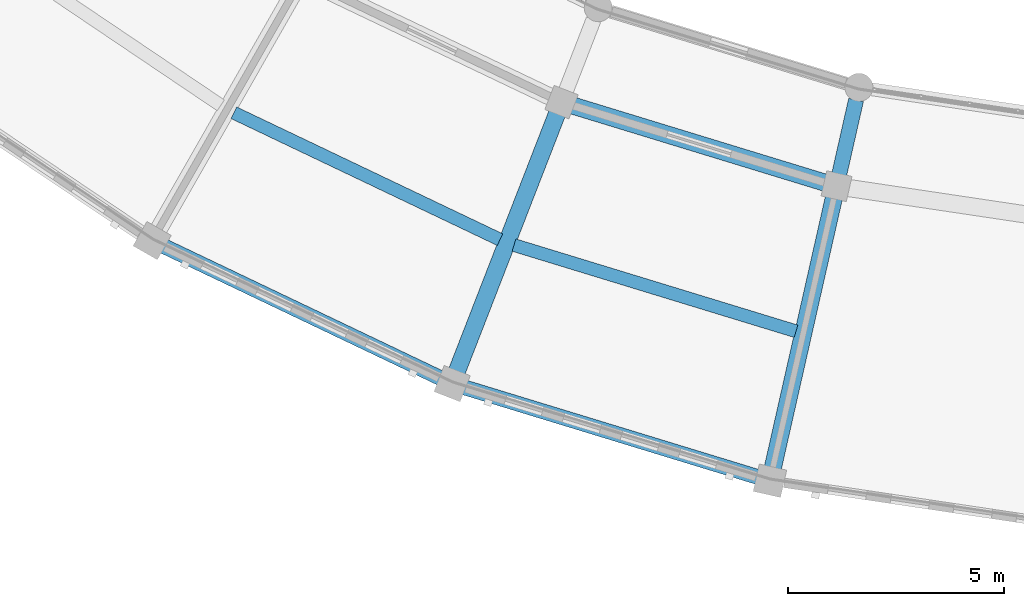
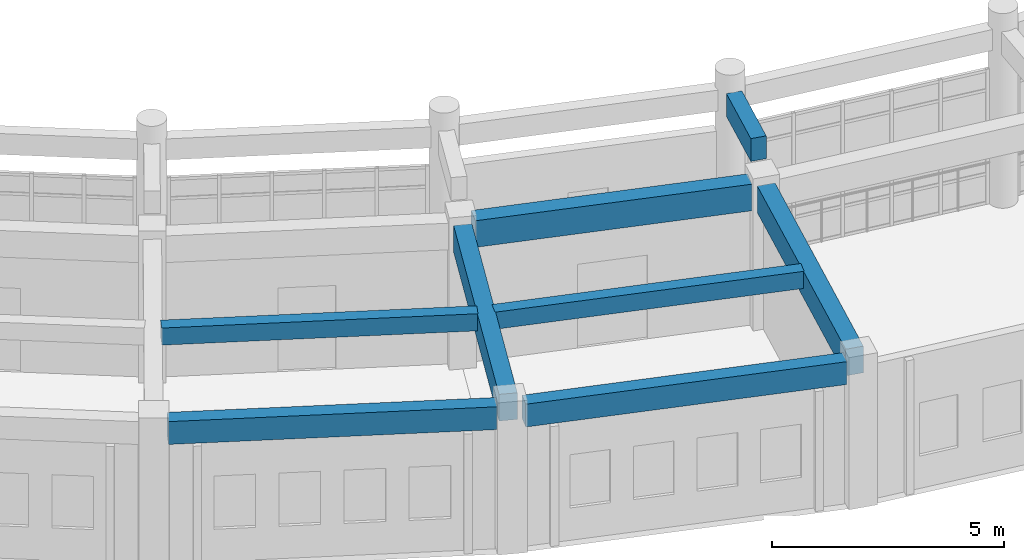
# One storey, part 30 of 159: 8 beams.
"""IFC4 building model written with IfcOpenShell, lengths in metres."""

from ifc_helpers import new_model, si_unit, direction, frame, origin, origin_2d, place, context, subcontext, project, spatial, rectangle, extrude, material, material_profile, profile_set, type_object, element, save


model = new_model("IFC4")

# Units and contexts
model_context = context("Model", 3, precision=1e-05, world=origin(), true_north=direction((0.0, 1.0)))
body_context = subcontext(model_context, "Body", "Model", "MODEL_VIEW")
ifc_project = project(units=[si_unit("LENGTHUNIT", "METRE"), si_unit("AREAUNIT", "SQUARE_METRE"), si_unit("VOLUMEUNIT", "CUBIC_METRE"), si_unit("PLANEANGLEUNIT", "RADIAN"), si_unit("MASSUNIT", "GRAM", prefix="KILO")], contexts=[model_context])

# Site, building, storey
site_placement = place(None, origin())
site = spatial("IfcSite", under=ifc_project, at=site_placement, CompositionType="ELEMENT")
building_placement = place(site_placement, origin())
building = spatial("IfcBuilding", under=site, at=building_placement, Name="Celadon Cloister-Ring School", CompositionType="ELEMENT")
storey_placement = place(building_placement, frame((0.0, 0.0, 4.5)))
storey = spatial("IfcBuildingStorey", under=building, at=storey_placement, Name="L01", CompositionType="ELEMENT", Elevation=4.5)

# Beams
ifc_material_1 = material(Name="Concrete C35/45", Category="concrete")
ifc_material_profile_1 = material_profile(ifc_material_1, rectangle(XDim=0.35009765625, YDim=0.60009765625, at=origin_2d()), Name="RC350X600")
ifc_profile_set_1 = profile_set([ifc_material_profile_1], Name="Concrete C35/45")
beam_type_1 = type_object("IfcBeamType", Name="BT-02", PredefinedType="BEAM", material=ifc_profile_set_1)
beam_1_placement = place(storey_placement, frame((77.134033203125, 15.376953125, 4.35009765625), z_axis=(0.220788618037, 0.975321683418, 0.0), x_axis=(-0.975321683418, 0.220788618037, 0.0)))
element("IfcBeam", 1, at=beam_1_placement, inside=storey, type_object=beam_type_1, Name="Beam 0231", PredefinedType="BEAM", context=body_context, shape_type="SweptSolid", body=[
    extrude(rectangle(XDim=0.35009765625, YDim=0.60009765625, at=origin_2d()), origin(), (0.0, 0.0, 1.0), 1.774658203125),
])
ifc_material_2 = material(Name="Concrete C35/45", Category="concrete")
ifc_material_profile_2 = material_profile(ifc_material_2, rectangle(XDim=0.39990234375, YDim=0.699951171875, at=origin_2d()), Name="RC400X700")
ifc_profile_set_2 = profile_set([ifc_material_profile_2], Name="Concrete C35/45")
beam_type_2 = type_object("IfcBeamType", Name="GT-03", PredefinedType="USERDEFINED", material=ifc_profile_set_2)
beam_2_placement = place(storey_placement, frame((68.27099609375, 10.81201171875, 3.429931640625), z_axis=(0.36215469114, 0.932118007382, 0.0), x_axis=(-0.932118007382, 0.36215469114, 0.0)))
element("IfcBeam", 2, at=beam_2_placement, inside=storey, type_object=beam_type_2, Name="Beam 0228", ObjectType="GIRDER", PredefinedType="USERDEFINED", context=body_context, shape_type="SweptSolid", body=[
    extrude(rectangle(XDim=0.39990234375, YDim=0.699951171875, at=origin_2d()), origin(), (0.0, 0.0, 1.0), 6.425048828125),
])
beam_3_placement = place(storey_placement, frame((75.594970703125, 8.573974609375, 3.429931640625), z_axis=(0.220533763019, 0.975379341266, 0.0), x_axis=(-0.975379341266, 0.220533763019, 0.0)))
element("IfcBeam", 3, at=beam_3_placement, inside=storey, type_object=beam_type_2, Name="Beam 0230", ObjectType="GIRDER", PredefinedType="USERDEFINED", context=body_context, shape_type="SweptSolid", body=[
    extrude(rectangle(XDim=0.39990234375, YDim=0.699951171875, at=origin_2d()), origin(), (0.0, 0.0, 1.0), 6.42529296875),
])
beam_4_placement = place(storey_placement, frame((70.9609375, 16.97705078125, 3.429931640625), z_axis=(0.956312519562, -0.292346309929, 0.0), x_axis=(0.292346309929, 0.956312519562, 0.0)))
element("IfcBeam", 4, at=beam_4_placement, inside=storey, type_object=beam_type_2, Name="Beam 0326", ObjectType="GIRDER", PredefinedType="USERDEFINED", context=body_context, shape_type="SweptSolid", body=[
    extrude(rectangle(XDim=0.39990234375, YDim=0.699951171875, at=origin_2d()), origin(), (0.0, 0.0, 1.0), 6.1162109375),
])
ifc_material_3 = material(Name="Concrete C35/45", Category="concrete")
ifc_material_profile_3 = material_profile(ifc_material_3, rectangle(XDim=0.300048828125, YDim=0.449951171875, at=origin_2d()), Name="RC300X450")
ifc_profile_set_3 = profile_set([ifc_material_profile_3], Name="Concrete C35/45")
beam_type_3 = type_object("IfcBeamType", Name="JT-01", PredefinedType="JOIST", material=ifc_profile_set_3)
beam_5_placement = place(storey_placement, frame((63.10205078125, 16.81103515625, 3.554931640625), z_axis=(0.902698033941, -0.43027463267, 0.0), x_axis=(0.43027463267, 0.902698033941, 0.0)))
element("IfcBeam", 5, at=beam_5_placement, inside=storey, type_object=beam_type_3, Name="Beam 0324", PredefinedType="JOIST", context=body_context, shape_type="SweptSolid", body=[
    extrude(rectangle(XDim=0.300048828125, YDim=0.449951171875, at=origin_2d()), origin(), (0.0, 0.0, 1.0), 6.8349609375),
])
beam_6_placement = place(storey_placement, frame((69.596923828125, 13.743896484375, 3.554931640625), z_axis=(0.956337152336, -0.292265719957, 0.0), x_axis=(0.292265719957, 0.956337152336, 0.0)))
element("IfcBeam", 6, at=beam_6_placement, inside=storey, type_object=beam_type_3, Name="Beam 0328", PredefinedType="JOIST", context=body_context, shape_type="SweptSolid", body=[
    extrude(rectangle(XDim=0.300048828125, YDim=0.449951171875, at=origin_2d()), origin(), (0.0, 0.0, 1.0), 6.83544921875),
])
ifc_material_4 = material(Name="Concrete C35/45", Category="concrete")
ifc_material_profile_4 = material_profile(ifc_material_4, rectangle(XDim=0.35009765625, YDim=0.60009765625, at=origin_2d()), Name="RC350X600")
ifc_profile_set_4 = profile_set([ifc_material_profile_4], Name="Concrete C35/45")
beam_type_4 = type_object("IfcBeamType", Name="SP-01", PredefinedType="SPANDREL", material=ifc_profile_set_4)
beam_7_placement = place(storey_placement, frame((61.47900390625, 13.718017578125, 3.47998046875), z_axis=(0.902655856994, -0.430363106963, 0.0), x_axis=(0.430363106963, 0.902655856994, 0.0)))
element("IfcBeam", 7, at=beam_7_placement, inside=storey, type_object=beam_type_4, Name="Beam 0321", PredefinedType="SPANDREL", context=body_context, shape_type="SweptSolid", body=[
    extrude(rectangle(XDim=0.35009765625, YDim=0.60009765625, at=origin_2d()), origin(), (0.0, 0.0, 1.0), 7.103515625),
])
beam_8_placement = place(storey_placement, frame((68.448974609375, 10.444091796875, 3.47998046875), z_axis=(0.9563686463, -0.292162647123, 0.0), x_axis=(0.292162647123, 0.9563686463, 0.0)))
element("IfcBeam", 8, at=beam_8_placement, inside=storey, type_object=beam_type_4, Name="Beam 0325", PredefinedType="SPANDREL", context=body_context, shape_type="SweptSolid", body=[
    extrude(rectangle(XDim=0.35009765625, YDim=0.60009765625, at=origin_2d()), origin(), (0.0, 0.0, 1.0), 7.102783203125),
])

save(model, "model.ifc")
